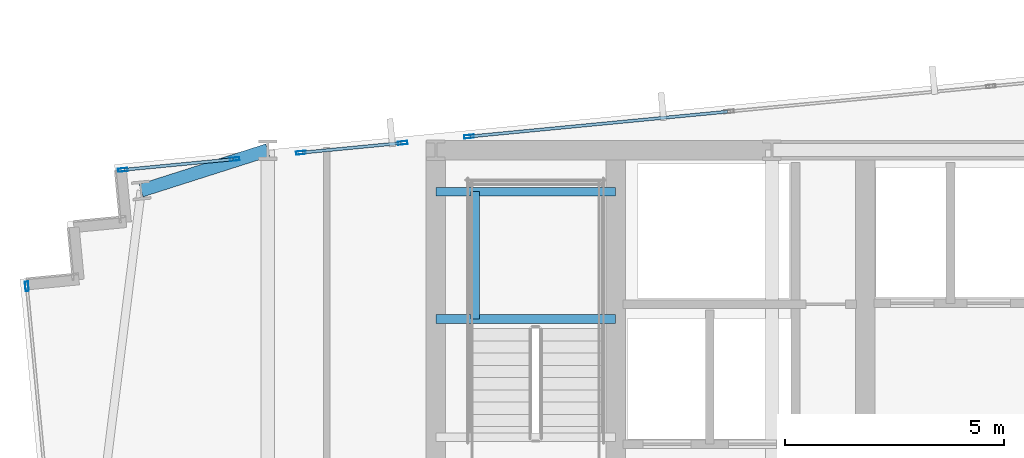
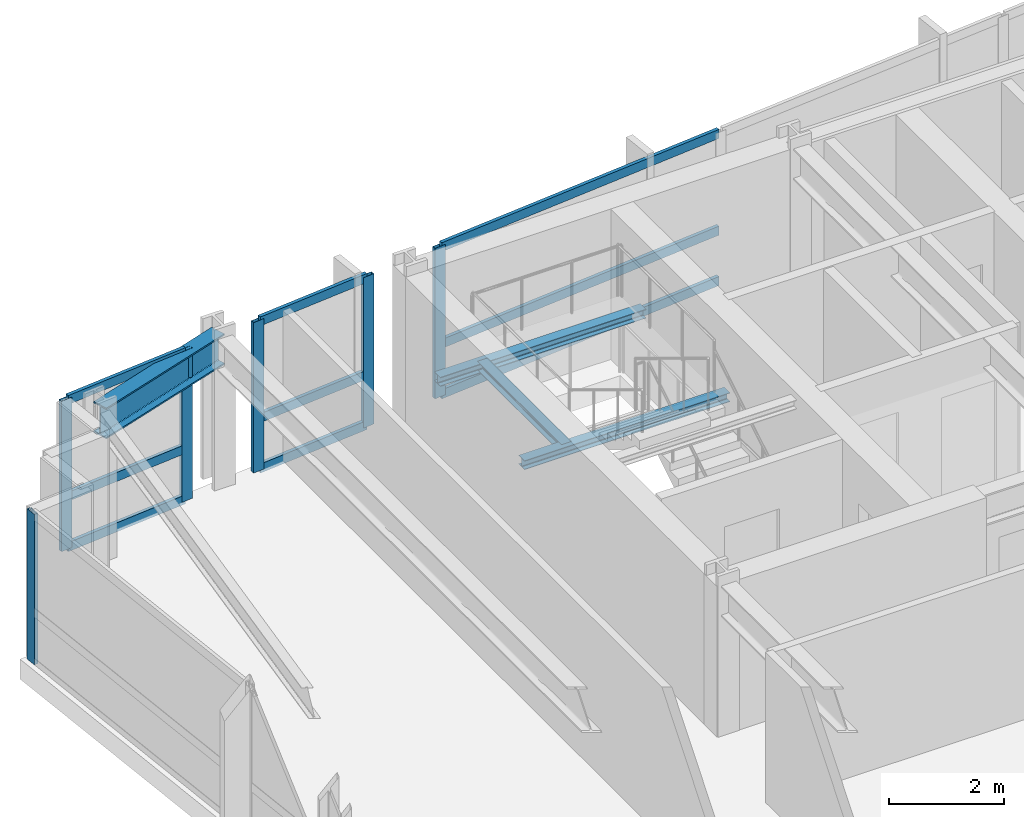
# One storey, part 18 of 33: 15 members, 4 beams, 4 elements without a shape of their own.
"""IFC4 building model written with IfcOpenShell, lengths in metres."""

from ifc_helpers import new_model, si_unit, direction, frame, origin, origin_2d, place, context, subcontext, project, spatial, hollow_rectangle, i_section, extrude, material, material_profile, profile_set, type_object, element, aggregate, save


model = new_model("IFC4")

# Units and contexts
model_context = context("Model", 3, precision=1e-05, world=origin(), true_north=direction((0.0, 1.0)))
body_context = subcontext(model_context, "Body", "Model", "MODEL_VIEW")
ifc_project = project(units=[si_unit("LENGTHUNIT", "METRE"), si_unit("AREAUNIT", "SQUARE_METRE"), si_unit("VOLUMEUNIT", "CUBIC_METRE"), si_unit("PLANEANGLEUNIT", "RADIAN"), si_unit("MASSUNIT", "GRAM", prefix="KILO")], contexts=[model_context])

# Site, building, storey
site_placement = place(None, origin())
site = spatial("IfcSite", under=ifc_project, at=site_placement, CompositionType="ELEMENT")
building_placement = place(site_placement, origin())
building = spatial("IfcBuilding", under=site, at=building_placement, Name="Yelkora Congress Tower", CompositionType="ELEMENT")
storey_placement = place(building_placement, frame((0.0, 0.0, 89.699951171875)))
storey = spatial("IfcBuildingStorey", under=building, at=storey_placement, Name="L23", CompositionType="ELEMENT", Elevation=89.699951171875)

# Beams
ifc_material_1 = material(Name="Steel S355J2", Category="steel")
ifc_material_profile_1 = material_profile(ifc_material_1, i_section(OverallWidth=0.300048828125, OverallDepth=0.64990234375, WebThickness=0.01611328125, FlangeThickness=0.031005859375, FilletRadius=0.027099609375, at=origin_2d()), Name="HEB 650")
ifc_profile_set_1 = profile_set([ifc_material_profile_1], Name="Steel S355J2")
beam_type_1 = type_object("IfcBeamType", Name="BM-GIRD-HEB650", PredefinedType="BEAM", material=ifc_profile_set_1)
beam_1_placement = place(storey_placement, frame((16.306884765625, 45.27734375, 2.85498046875), z_axis=(0.952727067409, 0.303827475759, 0.0), x_axis=(-0.303827475759, 0.952727067409, 0.0)))
element("IfcBeam", 1, at=beam_1_placement, inside=storey, type_object=beam_type_1, Name="L23 Primary Frame Girder N01", PredefinedType="BEAM", context=body_context, shape_type="SweptSolid", body=[
    extrude(i_section(OverallWidth=0.300048828125, OverallDepth=0.64990234375, WebThickness=0.01611328125, FlangeThickness=0.031005859375, FilletRadius=0.027099609375, at=origin_2d()), origin(), (0.0, 0.0, 1.0), 3.03662109375),
])
ifc_material_profile_2 = material_profile(ifc_material_1, i_section(OverallWidth=0.199951171875, OverallDepth=0.18994140625, WebThickness=0.006591796875, FlangeThickness=0.010009765625, FilletRadius=0.01806640625, at=origin_2d()), Name="HEA 200")
ifc_profile_set_2 = profile_set([ifc_material_profile_2], Name="Steel S355J2")
beam_type_2 = type_object("IfcBeamType", Name="BM-LAND-HEA200", PredefinedType="BEAM", material=ifc_profile_set_2)
for number, where, z_axis, x_axis, name in (
    (2, (23.0400390625, 42.340087890625, 1.384765625), (1.0, 0.0, 0.0), (0.0, 1.0, 0.0), "ST-01 L23 Landing Header Beam 1S"),
    (3, (23.0400390625, 45.25, 1.384765625), (1.0, 0.0, 0.0), (0.0, 1.0, 0.0), "ST-01 L23 Landing Header Beam 1N"),
):
    element("IfcBeam", number, at=place(storey_placement, frame(where, z_axis=z_axis, x_axis=x_axis)), inside=storey, type_object=beam_type_2, Name=name, PredefinedType="BEAM", context=body_context, shape_type="SweptSolid", body=[
        extrude(i_section(OverallWidth=0.199951171875, OverallDepth=0.18994140625, WebThickness=0.006591796875, FlangeThickness=0.010009765625, FilletRadius=0.01806640625, at=origin_2d()), origin(), (0.0, 0.0, 1.0), 4.10986328125),
    ])
beam_2_placement = place(storey_placement, frame((23.93994140625, 42.340087890625, 1.384765625), z_axis=(0.0, 1.0, 0.0), x_axis=(-1.0, 0.0, 0.0)))
element("IfcBeam", 4, at=beam_2_placement, inside=storey, type_object=beam_type_2, Name="ST-01 L23 Landing Trimmer Beam 1M", PredefinedType="BEAM", context=body_context, shape_type="SweptSolid", body=[
    extrude(i_section(OverallWidth=0.199951171875, OverallDepth=0.18994140625, WebThickness=0.006591796875, FlangeThickness=0.010009765625, FilletRadius=0.01806640625, at=origin_2d()), origin(), (0.0, 0.0, 1.0), 2.909912109375),
])

# Curtain wall, member
ifc_material_2 = material(Name="Anodised aluminium and insulated glass", Category="aluminium")
curtain_wall_type = type_object("IfcCurtainWallType", Name="CW-SYS-SKY", PredefinedType="NOTDEFINED", material=ifc_material_2)
curtain_wall_1_placement = place(storey_placement, origin())
curtain_wall_1 = element("IfcCurtainWall", 5, at=curtain_wall_1_placement, inside=storey, type_object=curtain_wall_type, Name="L23 Unitised Curtain Wall 5", PredefinedType="NOTDEFINED")
ifc_material_3 = material(Name="Anodised aluminium 6063-T6", Category="aluminium")
ifc_material_profile_3 = material_profile(ifc_material_3, hollow_rectangle(XDim=0.074951171875, YDim=0.219970703125, WallThickness=0.0048828125, at=origin_2d()), Name="ALU 75x220x5")
ifc_profile_set_3 = profile_set([ifc_material_profile_3], Name="Anodised aluminium 6063-T6")
member_type_1 = type_object("IfcMemberType", Name="MEM-ML-SKY", PredefinedType="MULLION", material=ifc_profile_set_3)
member_1_placement = place(storey_placement, frame((13.694580078125, 43.08935546875, 0.0), z_axis=(0.0, 0.0, 1.0), x_axis=(-0.995396507508, -0.095842541913, 0.0)))
member_1 = element("IfcMember", 6, at=member_1_placement, type_object=member_type_1, Name="CW-SKY mullion 6", PredefinedType="MULLION", context=body_context, shape_type="SweptSolid", body=[
    extrude(hollow_rectangle(XDim=0.074951171875, YDim=0.219970703125, WallThickness=0.0048828125, at=origin_2d()), origin(), (0.0, 0.0, 1.0), 3.179931640625),
])
aggregate(curtain_wall_1, [member_1])

# Curtain wall, members
curtain_wall_2_placement = place(storey_placement, origin())
curtain_wall_2 = element("IfcCurtainWall", 7, at=curtain_wall_2_placement, inside=storey, type_object=curtain_wall_type, Name="L23 Unitised Curtain Wall 10 (1)", PredefinedType="NOTDEFINED")
member_2_placement = place(storey_placement, frame((15.88720703125, 45.749267578125, 0.0), z_axis=(0.0, 0.0, 1.0), x_axis=(-0.095823458635, 0.995398344772, 0.0)))
member_2 = element("IfcMember", 8, at=member_2_placement, type_object=member_type_1, Name="CW-SKY mullion 1", PredefinedType="MULLION", context=body_context, shape_type="SweptSolid", body=[
    extrude(hollow_rectangle(XDim=0.074951171875, YDim=0.219970703125, WallThickness=0.0048828125, at=origin_2d()), origin(), (0.0, 0.0, 1.0), 3.179931640625),
])
member_3_placement = place(storey_placement, frame((18.442626953125, 45.995361328125, 0.0), z_axis=(0.0, 0.0, 1.0), x_axis=(-0.095823458635, 0.995398344772, 0.0)))
member_3 = element("IfcMember", 9, at=member_3_placement, type_object=member_type_1, Name="CW-SKY mullion 2", PredefinedType="MULLION", context=body_context, shape_type="SweptSolid", body=[
    extrude(hollow_rectangle(XDim=0.074951171875, YDim=0.219970703125, WallThickness=0.0048828125, at=origin_2d()), origin(), (0.0, 0.0, 1.0), 3.179931640625),
])

curtain_wall_3_placement = place(storey_placement, origin())
curtain_wall_3 = element("IfcCurtainWall", 10, at=curtain_wall_3_placement, inside=storey, type_object=curtain_wall_type, Name="L23 Unitised Curtain Wall 10 (2)", PredefinedType="NOTDEFINED")
member_4_placement = place(storey_placement, frame((19.957275390625, 46.14111328125, 0.0), z_axis=(0.0, 0.0, 1.0), x_axis=(-0.09584833499, 0.9953959497, 0.0)))
member_4 = element("IfcMember", 11, at=member_4_placement, type_object=member_type_1, Name="CW-SKY mullion 1", PredefinedType="MULLION", context=body_context, shape_type="SweptSolid", body=[
    extrude(hollow_rectangle(XDim=0.074951171875, YDim=0.219970703125, WallThickness=0.0048828125, at=origin_2d()), origin(), (0.0, 0.0, 1.0), 3.179931640625),
])
member_5_placement = place(storey_placement, frame((22.28271484375, 46.364990234375, 0.0), z_axis=(0.0, 0.0, 1.0), x_axis=(-0.09584833499, 0.9953959497, 0.0)))
member_5 = element("IfcMember", 12, at=member_5_placement, type_object=member_type_1, Name="CW-SKY mullion 2", PredefinedType="MULLION", context=body_context, shape_type="SweptSolid", body=[
    extrude(hollow_rectangle(XDim=0.074951171875, YDim=0.219970703125, WallThickness=0.0048828125, at=origin_2d()), origin(), (0.0, 0.0, 1.0), 3.179931640625),
])

# Curtain wall, member
curtain_wall_4_placement = place(storey_placement, origin())
curtain_wall_4 = element("IfcCurtainWall", 13, at=curtain_wall_4_placement, inside=storey, type_object=curtain_wall_type, Name="L23 Unitised Curtain Wall 10 (3)", PredefinedType="NOTDEFINED")
member_6_placement = place(storey_placement, frame((23.79736328125, 46.510986328125, 0.0), z_axis=(0.0, 0.0, 1.0), x_axis=(-0.095845465919, 0.995396225964, 0.0)))
member_6 = element("IfcMember", 14, at=member_6_placement, type_object=member_type_1, Name="CW-SKY mullion 1", PredefinedType="MULLION", context=body_context, shape_type="SweptSolid", body=[
    extrude(hollow_rectangle(XDim=0.074951171875, YDim=0.219970703125, WallThickness=0.0048828125, at=origin_2d()), origin(), (0.0, 0.0, 1.0), 3.179931640625),
])

# Member
ifc_material_profile_4 = material_profile(ifc_material_3, hollow_rectangle(XDim=0.070068359375, YDim=0.18994140625, WallThickness=0.00390625, at=origin_2d()), Name="ALU 70x190x4")
ifc_profile_set_4 = profile_set([ifc_material_profile_4], Name="Anodised aluminium 6063-T6")
member_type_2 = type_object("IfcMemberType", Name="MEM-TR-SKY", PredefinedType="USERDEFINED", material=ifc_profile_set_4)
member_7_placement = place(storey_placement, frame((15.924560546875, 45.7529296875, 0.03515625), z_axis=(0.995399870825, 0.095807604927, 0.0), x_axis=(-0.095807604927, 0.995399870825, 0.0)))
member_7 = element("IfcMember", 15, at=member_7_placement, type_object=member_type_2, Name="CW-SKY transom 1.1", ObjectType="TRANSOM", PredefinedType="USERDEFINED", context=body_context, shape_type="SweptSolid", body=[
    extrude(hollow_rectangle(XDim=0.070068359375, YDim=0.18994140625, WallThickness=0.00390625, at=origin_2d()), origin(), (0.0, 0.0, 1.0), 2.4921875),
])

member_8_placement = place(storey_placement, frame((15.924560546875, 45.7529296875, 1.10009765625), z_axis=(0.995399870825, 0.095807604927, 0.0), x_axis=(-0.095807604927, 0.995399870825, 0.0)))
member_8 = element("IfcMember", 16, at=member_8_placement, type_object=member_type_2, Name="CW-SKY transom 1.2", ObjectType="TRANSOM", PredefinedType="USERDEFINED", context=body_context, shape_type="SweptSolid", body=[
    extrude(hollow_rectangle(XDim=0.070068359375, YDim=0.18994140625, WallThickness=0.00390625, at=origin_2d()), origin(), (0.0, 0.0, 1.0), 2.4921875),
])

member_9_placement = place(storey_placement, frame((15.924560546875, 45.7529296875, 3.14501953125), z_axis=(0.995399870825, 0.095807604927, 0.0), x_axis=(-0.095807604927, 0.995399870825, 0.0)))
member_9 = element("IfcMember", 17, at=member_9_placement, type_object=member_type_2, Name="CW-SKY transom 1.3", ObjectType="TRANSOM", PredefinedType="USERDEFINED", context=body_context, shape_type="SweptSolid", body=[
    extrude(hollow_rectangle(XDim=0.070068359375, YDim=0.18994140625, WallThickness=0.00390625, at=origin_2d()), origin(), (0.0, 0.0, 1.0), 2.4921875),
])

aggregate(curtain_wall_2, [member_2, member_3, member_7, member_8, member_9])

member_10_placement = place(storey_placement, frame((19.99462890625, 46.144775390625, 0.03515625), z_axis=(0.995392991471, 0.09587905157, 0.0), x_axis=(-0.09587905157, 0.995392991471, 0.0)))
member_10 = element("IfcMember", 18, at=member_10_placement, type_object=member_type_2, Name="CW-SKY transom 1.1", ObjectType="TRANSOM", PredefinedType="USERDEFINED", context=body_context, shape_type="SweptSolid", body=[
    extrude(hollow_rectangle(XDim=0.070068359375, YDim=0.18994140625, WallThickness=0.00390625, at=origin_2d()), origin(), (0.0, 0.0, 1.0), 2.26123046875),
])

member_11_placement = place(storey_placement, frame((19.99462890625, 46.144775390625, 1.10009765625), z_axis=(0.995392991471, 0.09587905157, 0.0), x_axis=(-0.09587905157, 0.995392991471, 0.0)))
member_11 = element("IfcMember", 19, at=member_11_placement, type_object=member_type_2, Name="CW-SKY transom 1.2", ObjectType="TRANSOM", PredefinedType="USERDEFINED", context=body_context, shape_type="SweptSolid", body=[
    extrude(hollow_rectangle(XDim=0.070068359375, YDim=0.18994140625, WallThickness=0.00390625, at=origin_2d()), origin(), (0.0, 0.0, 1.0), 2.26123046875),
])

member_12_placement = place(storey_placement, frame((19.99462890625, 46.144775390625, 3.14501953125), z_axis=(0.995392991471, 0.09587905157, 0.0), x_axis=(-0.09587905157, 0.995392991471, 0.0)))
member_12 = element("IfcMember", 20, at=member_12_placement, type_object=member_type_2, Name="CW-SKY transom 1.3", ObjectType="TRANSOM", PredefinedType="USERDEFINED", context=body_context, shape_type="SweptSolid", body=[
    extrude(hollow_rectangle(XDim=0.070068359375, YDim=0.18994140625, WallThickness=0.00390625, at=origin_2d()), origin(), (0.0, 0.0, 1.0), 2.26123046875),
])

aggregate(curtain_wall_3, [member_4, member_5, member_10, member_11, member_12])

member_13_placement = place(storey_placement, frame((23.834716796875, 46.514404296875, 0.03515625), z_axis=(0.995395744121, 0.095850469932, 0.0), x_axis=(-0.095850469932, 0.995395744121, 0.0)))
member_13 = element("IfcMember", 21, at=member_13_placement, type_object=member_type_2, Name="CW-SKY transom 1.1", ObjectType="TRANSOM", PredefinedType="USERDEFINED", context=body_context, shape_type="SweptSolid", body=[
    extrude(hollow_rectangle(XDim=0.070068359375, YDim=0.18994140625, WallThickness=0.00390625, at=origin_2d()), origin(), (0.0, 0.0, 1.0), 5.896484375),
])

member_14_placement = place(storey_placement, frame((23.834716796875, 46.514404296875, 1.10009765625), z_axis=(0.995395744121, 0.095850469932, 0.0), x_axis=(-0.095850469932, 0.995395744121, 0.0)))
member_14 = element("IfcMember", 22, at=member_14_placement, type_object=member_type_2, Name="CW-SKY transom 1.2", ObjectType="TRANSOM", PredefinedType="USERDEFINED", context=body_context, shape_type="SweptSolid", body=[
    extrude(hollow_rectangle(XDim=0.070068359375, YDim=0.18994140625, WallThickness=0.00390625, at=origin_2d()), origin(), (0.0, 0.0, 1.0), 5.896484375),
])

member_15_placement = place(storey_placement, frame((23.834716796875, 46.514404296875, 3.14501953125), z_axis=(0.995395744121, 0.095850469932, 0.0), x_axis=(-0.095850469932, 0.995395744121, 0.0)))
member_15 = element("IfcMember", 23, at=member_15_placement, type_object=member_type_2, Name="CW-SKY transom 1.3", ObjectType="TRANSOM", PredefinedType="USERDEFINED", context=body_context, shape_type="SweptSolid", body=[
    extrude(hollow_rectangle(XDim=0.070068359375, YDim=0.18994140625, WallThickness=0.00390625, at=origin_2d()), origin(), (0.0, 0.0, 1.0), 5.896484375),
])

aggregate(curtain_wall_4, [member_6, member_13, member_14, member_15])

save(model, "model.ifc")
